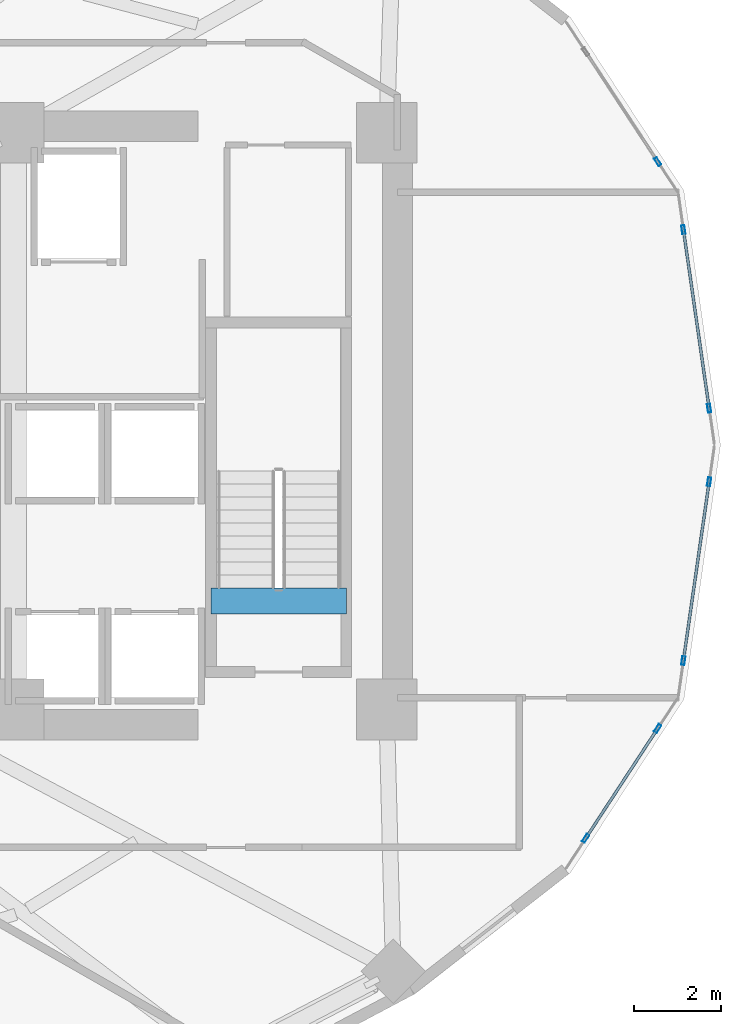
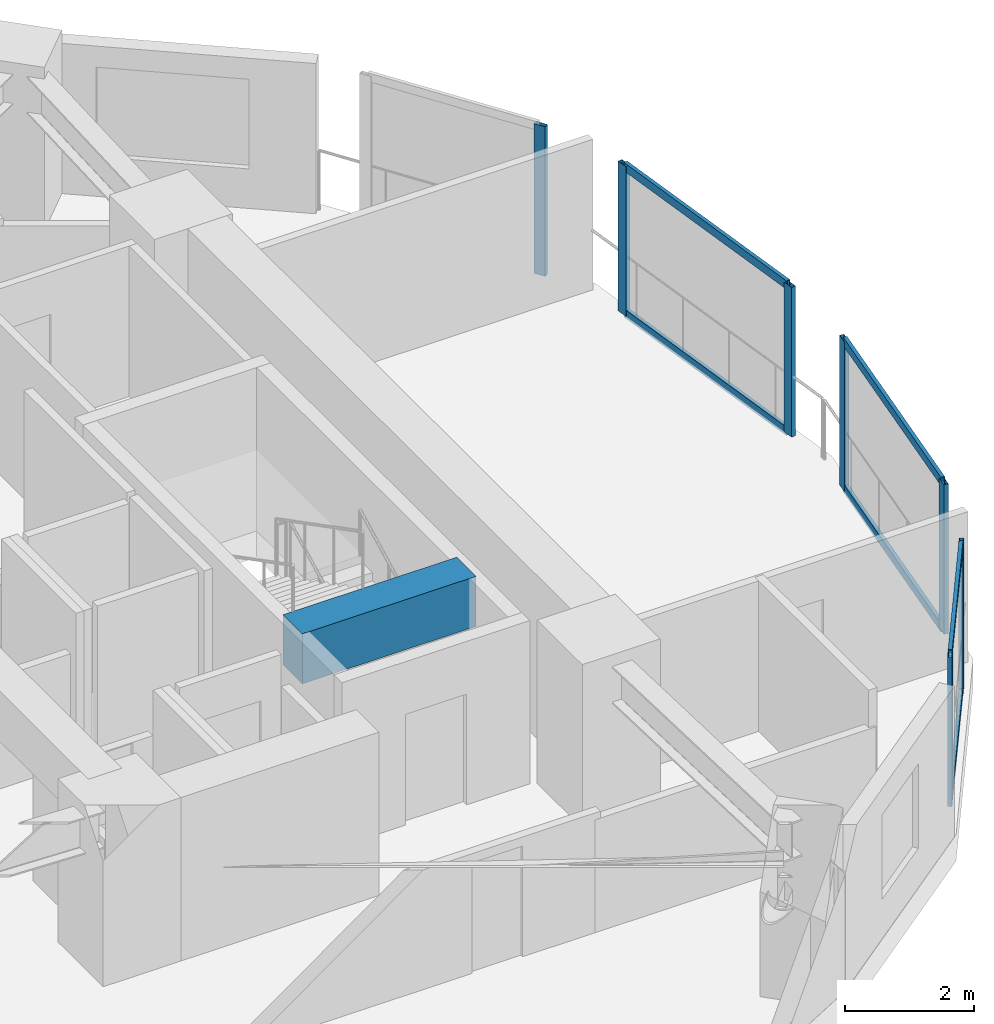
# One storey, part 3 of 13: 13 members, 1 beam, 4 elements without a shape of their own.
"""IFC4 building model written with IfcOpenShell, lengths in metres."""

from ifc_helpers import new_model, si_unit, direction, frame, origin, origin_2d, place, context, subcontext, project, spatial, rectangle, hollow_rectangle, extrude, material, layer, layer_set, material_profile, profile_set, type_object, element, aggregate, save


model = new_model("IFC4")

# Units and contexts
model_context = context("Model", 3, precision=1e-05, world=origin(), true_north=direction((0.0, 1.0)))
body_context = subcontext(model_context, "Body", "Model", "MODEL_VIEW")
ifc_project = project(units=[si_unit("LENGTHUNIT", "METRE"), si_unit("AREAUNIT", "SQUARE_METRE"), si_unit("VOLUMEUNIT", "CUBIC_METRE"), si_unit("PLANEANGLEUNIT", "RADIAN"), si_unit("MASSUNIT", "GRAM", prefix="KILO")], contexts=[model_context])

# Site, building, storey
site_placement = place(None, origin())
site = spatial("IfcSite", under=ifc_project, at=site_placement, CompositionType="ELEMENT")
building_placement = place(site_placement, origin())
building = spatial("IfcBuilding", under=site, at=building_placement, Name="Solvane Sanctuary Tower", CompositionType="ELEMENT")
storey_placement = place(building_placement, frame((0.0, 0.0, 85.60009765625)))
storey = spatial("IfcBuildingStorey", under=building, at=storey_placement, Name="L25", CompositionType="ELEMENT", Elevation=85.60009765625)

# Beam
ifc_material_1 = material(Name="Concrete C70/85", Category="concrete")
ifc_material_profile_1 = material_profile(ifc_material_1, rectangle(XDim=0.60009765625, YDim=0.949951171875, at=origin_2d()), Name="RC600X950")
ifc_profile_set_1 = profile_set([ifc_material_profile_1], Name="Concrete C70/85")
beam_type = type_object("IfcBeamType", Name="Beam B-COUPLE RC600X950", PredefinedType="LINTEL", material=ifc_profile_set_1)
beam_placement = place(storey_placement, frame((44.64990234375, 19.399169921875, 2.625), z_axis=(1.0, 0.0, 0.0), x_axis=(0.0, 1.0, 0.0)))
element("IfcBeam", 1, at=beam_placement, inside=storey, type_object=beam_type, Name="L25 ST-2 Stair Floor Landing Trimmer", PredefinedType="LINTEL", context=body_context, shape_type="SweptSolid", body=[
    extrude(rectangle(XDim=0.60009765625, YDim=0.949951171875, at=origin_2d()), origin(), (0.0, 0.0, 1.0), 3.1201171875),
])

# Curtain wall, members
ifc_material_2 = material(Name="Anodised Aluminium 6063-T6", Category="aluminium")
ifc_layer = layer(ifc_material_2, 0.2099609375, Name="Anodised Aluminium 6063-T6")
ifc_layer_set = layer_set([ifc_layer], Name="Anodised Aluminium 6063-T6")
curtain_wall_type = type_object("IfcCurtainWallType", Name="Curtain Wall CW-PORTAL", PredefinedType="NOTDEFINED", material=ifc_layer_set)
curtain_wall_1_placement = place(storey_placement, origin())
curtain_wall_1 = element("IfcCurtainWall", 2, at=curtain_wall_1_placement, inside=storey, type_object=curtain_wall_type, Name="L25 CW-PORTAL Facade Run 00", PredefinedType="NOTDEFINED")
ifc_material_profile_2 = material_profile(ifc_material_2, hollow_rectangle(XDim=0.074951171875, YDim=0.199951171875, WallThickness=0.00390625, at=origin_2d()), Name="ALU200X75X4")
ifc_profile_set_2 = profile_set([ifc_material_profile_2], Name="Anodised Aluminium 6063-T6")
member_type_1 = type_object("IfcMemberType", Name="Member M-CW-MUL-1 ALU200X75X4", PredefinedType="MULLION", material=ifc_profile_set_2)
member_1_placement = place(storey_placement, frame((56.1376953125, 23.8486328125, 0.0), z_axis=(0.0, 0.0, 1.0), x_axis=(-0.989782250971, -0.142587151113, 0.0)))
member_1 = element("IfcMember", 3, at=member_1_placement, type_object=member_type_1, Name="CW-PORTAL mullion 1", PredefinedType="MULLION", context=body_context, shape_type="SweptSolid", body=[
    extrude(hollow_rectangle(XDim=0.074951171875, YDim=0.199951171875, WallThickness=0.00390625, at=origin_2d()), origin(), (0.0, 0.0, 1.0), 2.83984375),
])
member_2_placement = place(storey_placement, frame((55.5439453125, 27.969970703125, 0.0), z_axis=(0.0, 0.0, 1.0), x_axis=(-0.989782250971, -0.142587151113, 0.0)))
member_2 = element("IfcMember", 4, at=member_2_placement, type_object=member_type_1, Name="CW-PORTAL mullion 2", PredefinedType="MULLION", context=body_context, shape_type="SweptSolid", body=[
    extrude(hollow_rectangle(XDim=0.074951171875, YDim=0.199951171875, WallThickness=0.00390625, at=origin_2d()), origin(), (0.0, 0.0, 1.0), 2.83984375),
])

# Curtain wall, member
curtain_wall_2_placement = place(storey_placement, origin())
curtain_wall_2 = element("IfcCurtainWall", 5, at=curtain_wall_2_placement, inside=storey, type_object=curtain_wall_type, Name="L25 CW-PORTAL Facade Run 01", PredefinedType="NOTDEFINED")
member_3_placement = place(storey_placement, frame((54.95166015625, 29.535888671875, 0.0), z_axis=(0.0, 0.0, 1.0), x_axis=(-0.8362976391, -0.548275714249, 0.0)))
member_3 = element("IfcMember", 6, at=member_3_placement, type_object=member_type_1, Name="CW-PORTAL mullion 1", PredefinedType="MULLION", context=body_context, shape_type="SweptSolid", body=[
    extrude(hollow_rectangle(XDim=0.074951171875, YDim=0.199951171875, WallThickness=0.00390625, at=origin_2d()), origin(), (0.0, 0.0, 1.0), 2.83984375),
])
aggregate(curtain_wall_2, [member_3])

# Curtain wall, members
curtain_wall_3_placement = place(storey_placement, origin())
curtain_wall_3 = element("IfcCurtainWall", 7, at=curtain_wall_3_placement, inside=storey, type_object=curtain_wall_type, Name="L25 CW-PORTAL Facade Run 22", PredefinedType="NOTDEFINED")
member_4_placement = place(storey_placement, frame((53.290771484375, 13.9306640625, 0.0), z_axis=(0.0, 0.0, 1.0), x_axis=(-0.8362976391, 0.548275714249, 0.0)))
member_4 = element("IfcMember", 8, at=member_4_placement, type_object=member_type_1, Name="CW-PORTAL mullion 1", PredefinedType="MULLION", context=body_context, shape_type="SweptSolid", body=[
    extrude(hollow_rectangle(XDim=0.074951171875, YDim=0.199951171875, WallThickness=0.00390625, at=origin_2d()), origin(), (0.0, 0.0, 1.0), 2.83984375),
])
member_5_placement = place(storey_placement, frame((54.95166015625, 16.464111328125, 0.0), z_axis=(0.0, 0.0, 1.0), x_axis=(-0.8362976391, 0.548275714249, 0.0)))
member_5 = element("IfcMember", 9, at=member_5_placement, type_object=member_type_1, Name="CW-PORTAL mullion 2", PredefinedType="MULLION", context=body_context, shape_type="SweptSolid", body=[
    extrude(hollow_rectangle(XDim=0.074951171875, YDim=0.199951171875, WallThickness=0.00390625, at=origin_2d()), origin(), (0.0, 0.0, 1.0), 2.83984375),
])

curtain_wall_4_placement = place(storey_placement, origin())
curtain_wall_4 = element("IfcCurtainWall", 10, at=curtain_wall_4_placement, inside=storey, type_object=curtain_wall_type, Name="L25 CW-PORTAL Facade Run 23", PredefinedType="NOTDEFINED")
member_6_placement = place(storey_placement, frame((55.5439453125, 18.030029296875, 0.0), z_axis=(0.0, 0.0, 1.0), x_axis=(-0.989782250971, 0.142587151113, 0.0)))
member_6 = element("IfcMember", 11, at=member_6_placement, type_object=member_type_1, Name="CW-PORTAL mullion 1", PredefinedType="MULLION", context=body_context, shape_type="SweptSolid", body=[
    extrude(hollow_rectangle(XDim=0.074951171875, YDim=0.199951171875, WallThickness=0.00390625, at=origin_2d()), origin(), (0.0, 0.0, 1.0), 2.83984375),
])
member_7_placement = place(storey_placement, frame((56.1376953125, 22.1513671875, 0.0), z_axis=(0.0, 0.0, 1.0), x_axis=(-0.989782250971, 0.142587151113, 0.0)))
member_7 = element("IfcMember", 12, at=member_7_placement, type_object=member_type_1, Name="CW-PORTAL mullion 2", PredefinedType="MULLION", context=body_context, shape_type="SweptSolid", body=[
    extrude(hollow_rectangle(XDim=0.074951171875, YDim=0.199951171875, WallThickness=0.00390625, at=origin_2d()), origin(), (0.0, 0.0, 1.0), 2.83984375),
])

# Member
ifc_material_profile_3 = material_profile(ifc_material_2, hollow_rectangle(XDim=0.06494140625, YDim=0.159912109375, WallThickness=0.00341796875, at=origin_2d()), Name="ALU160X65X3.5")
ifc_profile_set_3 = profile_set([ifc_material_profile_3], Name="Anodised Aluminium 6063-T6")
member_type_2 = type_object("IfcMemberType", Name="Member M-CW-TRN-1 ALU160X65X3.5", PredefinedType="USERDEFINED", material=ifc_profile_set_3)
member_8_placement = place(storey_placement, frame((56.13232421875, 23.8857421875, 0.032470703125), z_axis=(-0.142583180387, 0.989782822982, 0.0), x_axis=(-0.989782822982, -0.142583180387, 0.0)))
member_8 = element("IfcMember", 13, at=member_8_placement, type_object=member_type_2, Name="CW-PORTAL transom 1.1", ObjectType="TRANSOM", PredefinedType="USERDEFINED", context=body_context, shape_type="SweptSolid", body=[
    extrude(hollow_rectangle(XDim=0.06494140625, YDim=0.159912109375, WallThickness=0.00341796875, at=origin_2d()), origin(), (0.0, 0.0, 1.0), 4.0888671875),
])

member_9_placement = place(storey_placement, frame((56.13232421875, 23.8857421875, 2.807373046875), z_axis=(-0.142583180387, 0.989782822982, 0.0), x_axis=(-0.989782822982, -0.142583180387, 0.0)))
member_9 = element("IfcMember", 14, at=member_9_placement, type_object=member_type_2, Name="CW-PORTAL transom 1.2", ObjectType="TRANSOM", PredefinedType="USERDEFINED", context=body_context, shape_type="SweptSolid", body=[
    extrude(hollow_rectangle(XDim=0.06494140625, YDim=0.159912109375, WallThickness=0.00341796875, at=origin_2d()), origin(), (0.0, 0.0, 1.0), 4.0888671875),
])

aggregate(curtain_wall_1, [member_1, member_2, member_8, member_9])

member_10_placement = place(storey_placement, frame((53.311279296875, 13.962158203125, 0.032470703125), z_axis=(0.548295383015, 0.836284743951, 0.0), x_axis=(-0.836284743951, 0.548295383015, 0.0)))
member_10 = element("IfcMember", 15, at=member_10_placement, type_object=member_type_2, Name="CW-PORTAL transom 1.1", ObjectType="TRANSOM", PredefinedType="USERDEFINED", context=body_context, shape_type="SweptSolid", body=[
    extrude(hollow_rectangle(XDim=0.06494140625, YDim=0.159912109375, WallThickness=0.00341796875, at=origin_2d()), origin(), (0.0, 0.0, 1.0), 2.954345703125),
])

member_11_placement = place(storey_placement, frame((53.311279296875, 13.962158203125, 2.807373046875), z_axis=(0.548295383015, 0.836284743951, 0.0), x_axis=(-0.836284743951, 0.548295383015, 0.0)))
member_11 = element("IfcMember", 16, at=member_11_placement, type_object=member_type_2, Name="CW-PORTAL transom 1.2", ObjectType="TRANSOM", PredefinedType="USERDEFINED", context=body_context, shape_type="SweptSolid", body=[
    extrude(hollow_rectangle(XDim=0.06494140625, YDim=0.159912109375, WallThickness=0.00341796875, at=origin_2d()), origin(), (0.0, 0.0, 1.0), 2.954345703125),
])

aggregate(curtain_wall_3, [member_4, member_5, member_10, member_11])

member_12_placement = place(storey_placement, frame((55.54931640625, 18.067138671875, 0.032470703125), z_axis=(0.142583180387, 0.989782822982, 0.0), x_axis=(-0.989782822982, 0.142583180387, 0.0)))
member_12 = element("IfcMember", 17, at=member_12_placement, type_object=member_type_2, Name="CW-PORTAL transom 1.1", ObjectType="TRANSOM", PredefinedType="USERDEFINED", context=body_context, shape_type="SweptSolid", body=[
    extrude(hollow_rectangle(XDim=0.06494140625, YDim=0.159912109375, WallThickness=0.00341796875, at=origin_2d()), origin(), (0.0, 0.0, 1.0), 4.0888671875),
])

member_13_placement = place(storey_placement, frame((55.54931640625, 18.067138671875, 2.807373046875), z_axis=(0.142583180387, 0.989782822982, 0.0), x_axis=(-0.989782822982, 0.142583180387, 0.0)))
member_13 = element("IfcMember", 18, at=member_13_placement, type_object=member_type_2, Name="CW-PORTAL transom 1.2", ObjectType="TRANSOM", PredefinedType="USERDEFINED", context=body_context, shape_type="SweptSolid", body=[
    extrude(hollow_rectangle(XDim=0.06494140625, YDim=0.159912109375, WallThickness=0.00341796875, at=origin_2d()), origin(), (0.0, 0.0, 1.0), 4.0888671875),
])

aggregate(curtain_wall_4, [member_6, member_7, member_12, member_13])

save(model, "model.ifc")
